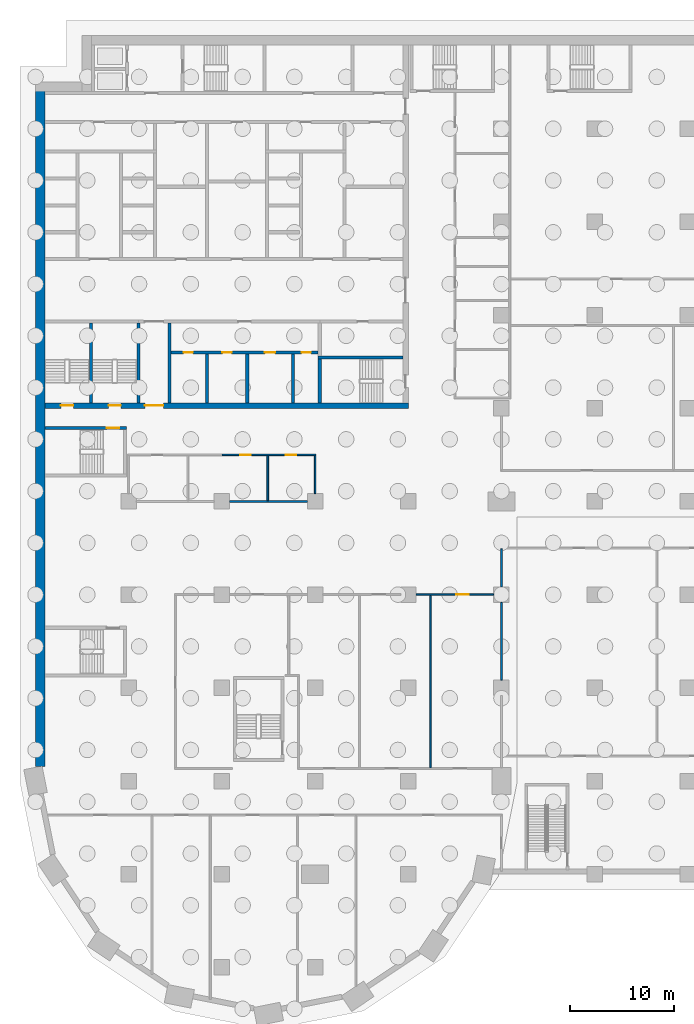
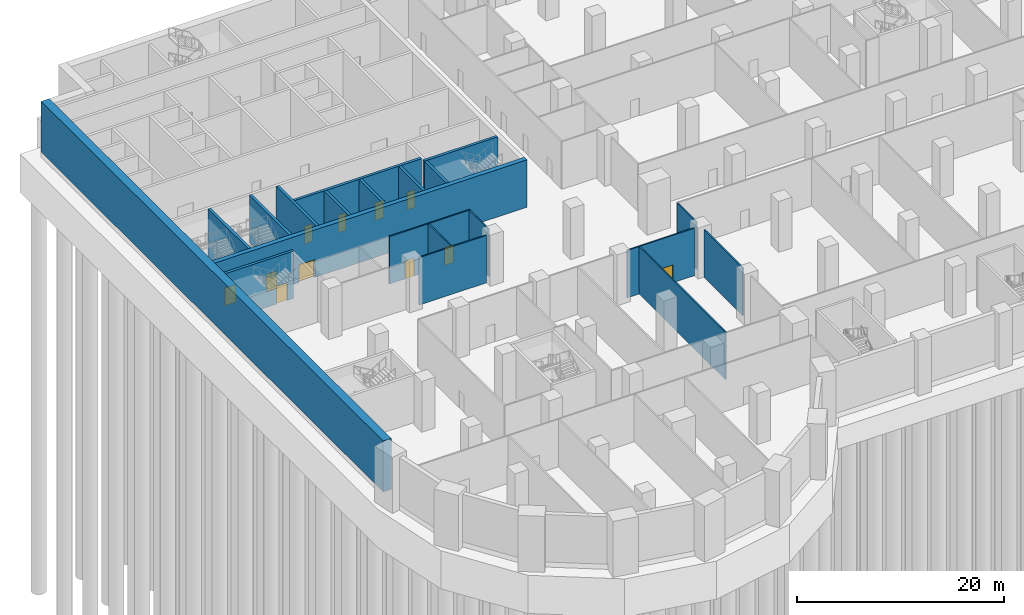
# One storey, part 5 of 25: 20 walls, 11 doors, 11 openings.
"""IFC4 building model written with IfcOpenShell, lengths in metres."""

from ifc_helpers import new_model, si_unit, direction, frame, frame_2d, origin, place, context, subcontext, project, spatial, rectangle, extrude, material, layer, layer_set, type_object, element, fill, save


model = new_model("IFC4")

# Units and contexts
model_context = context("Model", 3, precision=1e-05, world=origin(), true_north=direction((0.0, 1.0)))
body_context = subcontext(model_context, "Body", "Model", "MODEL_VIEW")
ifc_project = project(units=[si_unit("LENGTHUNIT", "METRE"), si_unit("AREAUNIT", "SQUARE_METRE"), si_unit("VOLUMEUNIT", "CUBIC_METRE"), si_unit("PLANEANGLEUNIT", "RADIAN"), si_unit("MASSUNIT", "GRAM", prefix="KILO")], contexts=[model_context])

# Site, building, storey
site_placement = place(None, origin())
site = spatial("IfcSite", under=ifc_project, at=site_placement, CompositionType="ELEMENT")
building_placement = place(site_placement, origin())
building = spatial("IfcBuilding", under=site, at=building_placement, Name="Hunhe Ridgeline Campus", CompositionType="ELEMENT")
storey_placement = place(building_placement, frame((0.0, 0.0, -6.0)))
storey = spatial("IfcBuildingStorey", under=building, at=storey_placement, Name="B1", CompositionType="ELEMENT", Elevation=-6.0)

# Walls
ifc_material_1 = material(Name="Plastered blockwork", Category="masonry")
ifc_layer_1 = layer(ifc_material_1, 0.14990234375)
ifc_layer_set_1 = layer_set([ifc_layer_1], Name="Blockwork partition 150")
wall_type_1 = type_object("IfcWallType", Name="Blockwork partition 150", PredefinedType="PARTITIONING", material=ifc_layer_set_1)
wall_1_placement = place(storey_placement, frame((45.0, 36.75, 0.0), z_axis=(0.0, 0.0, 1.0), x_axis=(0.0, 1.0, 0.0)))
element("IfcWall", 1, at=wall_1_placement, inside=storey, type_object=wall_type_1, Name="B1 partition", PredefinedType="PARTITIONING", context=body_context, shape_type="SweptSolid", body=[
    extrude(rectangle(XDim=7.5, YDim=0.14990234375, at=frame_2d((3.75, 0.0))), origin(), (0.0, 0.0, 1.0), 5.60009765625),
])
wall_2_placement = place(storey_placement, frame((45.0, 45.75, 0.0), z_axis=(0.0, 0.0, 1.0), x_axis=(0.0, 1.0, 0.0)))
element("IfcWall", 2, at=wall_2_placement, inside=storey, type_object=wall_type_1, Name="B1 partition", PredefinedType="PARTITIONING", context=body_context, shape_type="SweptSolid", body=[
    extrude(rectangle(XDim=3.675048828125, YDim=0.14990234375, at=frame_2d((1.83740234375, 0.0))), origin(), (0.0, 0.0, 1.0), 5.60009765625),
])

# Wall, opening, door
wall_3_placement = place(storey_placement, frame((36.75, 45.0, 0.0), z_axis=(0.0, 0.0, 1.0), x_axis=(1.0, 0.0, 0.0)))
wall_3 = element("IfcWall", 3, at=wall_3_placement, inside=storey, type_object=wall_type_1, Name="B1 partition", PredefinedType="PARTITIONING", context=body_context, shape_type="SweptSolid", body=[
    extrude(rectangle(XDim=7.5, YDim=0.14990234375, at=frame_2d((3.75, 0.0))), origin(), (0.0, 0.0, 1.0), 5.60009765625),
])
opening_1_placement = place(wall_3_placement, frame((3.902099609375, 0.0, 0.0)))
opening_1 = element("IfcOpeningElement", 4, at=opening_1_placement, cuts=wall_3, Name="Opening PD023", PredefinedType="OPENING", context=body_context, shape_type="SweptSolid", body=[
    extrude(rectangle(XDim=1.199951171875, YDim=2.10009765625, at=frame_2d((0.60009765625, 1.050048828125))), frame((0.0, 0.074951171875, 0.0), z_axis=(0.0, -1.0, 0.0), x_axis=(1.0, 0.0, 0.0)), (0.0, 0.0, 1.0), 0.14990234375),
])
ifc_material_2 = material(Name="Steel Q235", Category="steel")
door_type_1 = type_object("IfcDoorType", Name="Podium fire door 1200x2100 FD60", OperationType="NOTDEFINED", PredefinedType="DOOR", material=ifc_material_2)
door_1_placement = place(opening_1_placement, origin())
door_1 = element("IfcDoor", 5, at=door_1_placement, inside=storey, type_object=door_type_1, Name="Communications Room door", OperationType="SINGLE_SWING_RIGHT", OverallHeight=2.10009765625, OverallWidth=1.199951171875, PredefinedType="DOOR", context=body_context, shape_type="SweptSolid", body=[
    extrude(rectangle(XDim=1.199951171875, YDim=2.10009765625, at=frame_2d((0.60009765625, 1.050048828125))), frame((0.0, 0.02490234375, 0.0), z_axis=(0.0, -1.0, 0.0), x_axis=(1.0, 0.0, 0.0)), (0.0, 0.0, 1.0), 0.050048828125),
])
fill(opening_1, door_1)

# Walls
wall_4_placement = place(storey_placement, frame((38.152099609375, 28.27490234375, 0.0), z_axis=(0.0, 0.0, 1.0), x_axis=(0.0, 1.0, 0.0)))
element("IfcWall", 6, at=wall_4_placement, inside=storey, type_object=wall_type_1, Name="B1 partition", PredefinedType="PARTITIONING", context=body_context, shape_type="SweptSolid", body=[
    extrude(rectangle(XDim=16.650146484375, YDim=0.14990234375, at=frame_2d((8.3251953125, 0.0))), origin(), (0.0, 0.0, 1.0), 5.60009765625),
])
wall_5_placement = place(storey_placement, frame((26.25, 54.0, 0.0), z_axis=(0.0, 0.0, 1.0), x_axis=(-1.0, 0.0, 0.0)))
element("IfcWall", 7, at=wall_5_placement, inside=storey, type_object=wall_type_1, Name="B1 partition", PredefinedType="PARTITIONING", context=body_context, shape_type="SweptSolid", body=[
    extrude(rectangle(XDim=7.5, YDim=0.14990234375, at=frame_2d((3.75, 0.0))), origin(), (0.0, 0.0, 1.0), 5.60009765625),
])

# Wall, openings, doors
wall_6_placement = place(storey_placement, frame((18.030029296875, 58.5, 0.0), z_axis=(0.0, 0.0, 1.0), x_axis=(1.0, 0.0, 0.0)))
wall_6 = element("IfcWall", 8, at=wall_6_placement, inside=storey, type_object=wall_type_1, Name="B1 partition", PredefinedType="PARTITIONING", context=body_context, shape_type="SweptSolid", body=[
    extrude(rectangle(XDim=9.044921875, YDim=0.14990234375, at=frame_2d((4.5224609375, 0.0))), origin(), (0.0, 0.0, 1.0), 5.60009765625),
])
opening_2_placement = place(wall_6_placement, frame((1.75, 0.0, 0.0)))
opening_2 = element("IfcOpeningElement", 9, at=opening_2_placement, cuts=wall_6, Name="Opening PD026", PredefinedType="OPENING", context=body_context, shape_type="SweptSolid", body=[
    extrude(rectangle(XDim=1.0, YDim=2.10009765625, at=frame_2d((0.5, 1.050048828125))), frame((0.0, 0.074951171875, 0.0), z_axis=(0.0, -1.0, 0.0), x_axis=(1.0, 0.0, 0.0)), (0.0, 0.0, 1.0), 0.14990234375),
])
opening_3_placement = place(wall_6_placement, frame((6.14892578125, 0.0, 0.0)))
opening_3 = element("IfcOpeningElement", 10, at=opening_3_placement, cuts=wall_6, Name="Opening PD027", PredefinedType="OPENING", context=body_context, shape_type="SweptSolid", body=[
    extrude(rectangle(XDim=1.0, YDim=2.10009765625, at=frame_2d((0.5, 1.050048828125))), frame((0.0, 0.074951171875, 0.0), z_axis=(0.0, -1.0, 0.0), x_axis=(1.0, 0.0, 0.0)), (0.0, 0.0, 1.0), 0.14990234375),
])
ifc_material_3 = material(Name="Timber", Category="wood")
door_type_2 = type_object("IfcDoorType", Name="Podium timber door 1000x2100", OperationType="NOTDEFINED", PredefinedType="DOOR", material=ifc_material_3)
door_2_placement = place(opening_2_placement, origin())
door_2 = element("IfcDoor", 11, at=door_2_placement, inside=storey, type_object=door_type_2, Name="Staff Rest Room door", OperationType="SINGLE_SWING_LEFT", OverallHeight=2.10009765625, OverallWidth=1.0, PredefinedType="DOOR", context=body_context, shape_type="SweptSolid", body=[
    extrude(rectangle(XDim=1.0, YDim=2.10009765625, at=frame_2d((0.5, 1.050048828125))), frame((0.0, 0.02490234375, 0.0), z_axis=(0.0, -1.0, 0.0), x_axis=(1.0, 0.0, 0.0)), (0.0, 0.0, 1.0), 0.050048828125),
])
fill(opening_2, door_2)
door_3_placement = place(opening_3_placement, origin())
door_3 = element("IfcDoor", 12, at=door_3_placement, inside=storey, type_object=door_type_2, Name="Lost Property Store door", OperationType="SINGLE_SWING_RIGHT", OverallHeight=2.10009765625, OverallWidth=1.0, PredefinedType="DOOR", context=body_context, shape_type="SweptSolid", body=[
    extrude(rectangle(XDim=1.0, YDim=2.10009765625, at=frame_2d((0.5, 1.050048828125))), frame((0.0, 0.02490234375, 0.0), z_axis=(0.0, -1.0, 0.0), x_axis=(1.0, 0.0, 0.0)), (0.0, 0.0, 1.0), 0.050048828125),
])
fill(opening_3, door_3)

# Walls
wall_7_placement = place(storey_placement, frame((22.428955078125, 54.074951171875, 0.0), z_axis=(0.0, 0.0, 1.0), x_axis=(0.0, 1.0, 0.0)))
element("IfcWall", 13, at=wall_7_placement, inside=storey, type_object=wall_type_1, Name="B1 partition", PredefinedType="PARTITIONING", context=body_context, shape_type="SweptSolid", body=[
    extrude(rectangle(XDim=4.35009765625, YDim=0.14990234375, at=frame_2d((2.175048828125, 0.0))), origin(), (0.0, 0.0, 1.0), 5.60009765625),
])
wall_8_placement = place(storey_placement, frame((27.0, 58.425048828125, 0.0), z_axis=(0.0, 0.0, 1.0), x_axis=(0.0, -1.0, 0.0)))
element("IfcWall", 14, at=wall_8_placement, inside=storey, type_object=wall_type_1, Name="B1 partition", PredefinedType="PARTITIONING", context=body_context, shape_type="SweptSolid", body=[
    extrude(rectangle(XDim=3.675048828125, YDim=0.14990234375, at=frame_2d((1.83740234375, 0.0))), origin(), (0.0, 0.0, 1.0), 5.60009765625),
])

# Wall, openings, doors
ifc_material_4 = material(Name="Masonry concrete blockwork", Category="masonry")
ifc_layer_2 = layer(ifc_material_4, 0.300048828125)
ifc_layer_set_2 = layer_set([ifc_layer_2], Name="Core room partition 300 concrete block")
wall_type_2 = type_object("IfcWallType", Name="Core room partition 300 concrete block", PredefinedType="PARTITIONING", material=ifc_layer_set_2)
wall_9_placement = place(storey_placement, frame((13.10009765625, 68.39990234375, 0.0), z_axis=(0.0, 0.0, 1.0), x_axis=(1.0, 0.0, 0.0)))
wall_9 = element("IfcWall", 15, at=wall_9_placement, inside=storey, type_object=wall_type_2, Name="B1 core partition 10", PredefinedType="PARTITIONING", context=body_context, shape_type="SweptSolid", body=[
    extrude(rectangle(XDim=14.199951171875, YDim=0.300048828125, at=frame_2d((7.10009765625, 0.0))), origin(), (0.0, 0.0, 1.0), 5.60009765625),
])
opening_4_placement = place(wall_9_placement, frame((1.199951171875, 0.0, 0.0)))
opening_4 = element("IfcOpeningElement", 16, at=opening_4_placement, cuts=wall_9, Name="Opening CD8", PredefinedType="OPENING", context=body_context, shape_type="SweptSolid", body=[
    extrude(rectangle(XDim=0.89990234375, YDim=2.10009765625, at=frame_2d((0.449951171875, 1.050048828125))), frame((0.0, 0.14990234375, 0.0), z_axis=(0.0, -1.0, 0.0), x_axis=(1.0, 0.0, 0.0)), (0.0, 0.0, 1.0), 0.300048828125),
])
opening_5_placement = place(wall_9_placement, frame((4.949951171875, 0.0, 0.0)))
opening_5 = element("IfcOpeningElement", 17, at=opening_5_placement, cuts=wall_9, Name="Opening CD9", PredefinedType="OPENING", context=body_context, shape_type="SweptSolid", body=[
    extrude(rectangle(XDim=0.89990234375, YDim=2.10009765625, at=frame_2d((0.449951171875, 1.050048828125))), frame((0.0, 0.14990234375, 0.0), z_axis=(0.0, -1.0, 0.0), x_axis=(1.0, 0.0, 0.0)), (0.0, 0.0, 1.0), 0.300048828125),
])
opening_6_placement = place(wall_9_placement, frame((9.050048828125, 0.0, 0.0)))
opening_6 = element("IfcOpeningElement", 18, at=opening_6_placement, cuts=wall_9, Name="Opening CD10", PredefinedType="OPENING", context=body_context, shape_type="SweptSolid", body=[
    extrude(rectangle(XDim=1.0, YDim=2.10009765625, at=frame_2d((0.5, 1.050048828125))), frame((0.0, 0.14990234375, 0.0), z_axis=(0.0, -1.0, 0.0), x_axis=(1.0, 0.0, 0.0)), (0.0, 0.0, 1.0), 0.300048828125),
])
opening_7_placement = place(wall_9_placement, frame((12.60009765625, 0.0, 0.0)))
opening_7 = element("IfcOpeningElement", 19, at=opening_7_placement, cuts=wall_9, Name="Opening CD11", PredefinedType="OPENING", context=body_context, shape_type="SweptSolid", body=[
    extrude(rectangle(XDim=0.89990234375, YDim=2.10009765625, at=frame_2d((0.449951171875, 1.050048828125))), frame((0.0, 0.14990234375, 0.0), z_axis=(0.0, -1.0, 0.0), x_axis=(1.0, 0.0, 0.0)), (0.0, 0.0, 1.0), 0.300048828125),
])
ifc_material_5 = material(Name="Solid core timber door leaf", Category="wood")
door_type_3 = type_object("IfcDoorType", Name="Timber door 1000x2100", OperationType="SINGLE_SWING_LEFT", PredefinedType="DOOR", material=ifc_material_5)
door_4_placement = place(opening_6_placement, frame((1.0, 0.0, 0.0), z_axis=(0.0, 0.0, 1.0), x_axis=(-1.0, 0.0, 0.0)))
door_4 = element("IfcDoor", 20, at=door_4_placement, inside=storey, type_object=door_type_3, Name="B1 door WC3", OperationType="SINGLE_SWING_RIGHT", OverallHeight=2.10009765625, OverallWidth=1.0, PredefinedType="DOOR", context=body_context, shape_type="SweptSolid", body=[
    extrude(rectangle(XDim=1.0, YDim=2.10009765625, at=frame_2d((0.5, 1.050048828125))), frame((0.0, 0.02490234375, 0.0), z_axis=(0.0, -1.0, 0.0), x_axis=(1.0, 0.0, 0.0)), (0.0, 0.0, 1.0), 0.050048828125),
])
fill(opening_6, door_4)
door_type_4 = type_object("IfcDoorType", Name="Timber door 900x2100", OperationType="SINGLE_SWING_LEFT", PredefinedType="DOOR", material=ifc_material_5)
door_5_placement = place(opening_4_placement, frame((0.89990234375, 0.0, 0.0), z_axis=(0.0, 0.0, 1.0), x_axis=(-1.0, 0.0, 0.0)))
door_5 = element("IfcDoor", 21, at=door_5_placement, inside=storey, type_object=door_type_4, Name="B1 door WC1", OperationType="SINGLE_SWING_RIGHT", OverallHeight=2.10009765625, OverallWidth=0.89990234375, PredefinedType="DOOR", context=body_context, shape_type="SweptSolid", body=[
    extrude(rectangle(XDim=0.89990234375, YDim=2.10009765625, at=frame_2d((0.449951171875, 1.050048828125))), frame((0.0, 0.02490234375, 0.0), z_axis=(0.0, -1.0, 0.0), x_axis=(1.0, 0.0, 0.0)), (0.0, 0.0, 1.0), 0.050048828125),
])
fill(opening_4, door_5)
door_6_placement = place(opening_5_placement, frame((0.89990234375, 0.0, 0.0), z_axis=(0.0, 0.0, 1.0), x_axis=(-1.0, 0.0, 0.0)))
door_6 = element("IfcDoor", 22, at=door_6_placement, inside=storey, type_object=door_type_4, Name="B1 door WC2", OperationType="SINGLE_SWING_LEFT", OverallHeight=2.10009765625, OverallWidth=0.89990234375, PredefinedType="DOOR", context=body_context, shape_type="SweptSolid", body=[
    extrude(rectangle(XDim=0.89990234375, YDim=2.10009765625, at=frame_2d((0.449951171875, 1.050048828125))), frame((0.0, 0.02490234375, 0.0), z_axis=(0.0, -1.0, 0.0), x_axis=(1.0, 0.0, 0.0)), (0.0, 0.0, 1.0), 0.050048828125),
])
fill(opening_5, door_6)
door_7_placement = place(opening_7_placement, frame((0.89990234375, 0.0, 0.0), z_axis=(0.0, 0.0, 1.0), x_axis=(-1.0, 0.0, 0.0)))
door_7 = element("IfcDoor", 23, at=door_7_placement, inside=storey, type_object=door_type_4, Name="B1 door WC4", OperationType="SINGLE_SWING_LEFT", OverallHeight=2.10009765625, OverallWidth=0.89990234375, PredefinedType="DOOR", context=body_context, shape_type="SweptSolid", body=[
    extrude(rectangle(XDim=0.89990234375, YDim=2.10009765625, at=frame_2d((0.449951171875, 1.050048828125))), frame((0.0, 0.02490234375, 0.0), z_axis=(0.0, -1.0, 0.0), x_axis=(1.0, 0.0, 0.0)), (0.0, 0.0, 1.0), 0.050048828125),
])
fill(opening_7, door_7)

# Walls
wall_10_placement = place(storey_placement, frame((12.949951171875, 63.5, 0.0), z_axis=(0.0, 0.0, 1.0), x_axis=(0.0, 1.0, 0.0)))
element("IfcWall", 24, at=wall_10_placement, inside=storey, type_object=wall_type_2, Name="B1 core partition 47", PredefinedType="PARTITIONING", context=body_context, shape_type="SweptSolid", body=[
    extrude(rectangle(XDim=7.75, YDim=0.300048828125, at=frame_2d((3.875, 0.0))), origin(), (0.0, 0.0, 1.0), 5.60009765625),
])
for number, where, z_axis, x_axis, name in (
    (25, (16.550048828125, 63.5, 0.0), (0.0, 0.0, 1.0), (0.0, 1.0, 0.0), "B1 core partition 49"),
    (26, (20.449951171875, 63.5, 0.0), (0.0, 0.0, 1.0), (0.0, 1.0, 0.0), "B1 core partition 52"),
    (27, (24.85009765625, 63.5, 0.0), (0.0, 0.0, 1.0), (0.0, 1.0, 0.0), "B1 core partition 57"),
):
    element("IfcWall", number, at=place(storey_placement, frame(where, z_axis=z_axis, x_axis=x_axis)), inside=storey, type_object=wall_type_2, Name=name, PredefinedType="PARTITIONING", context=body_context, shape_type="SweptSolid", body=[
        extrude(rectangle(XDim=4.75, YDim=0.300048828125, at=frame_2d((2.375, 0.0))), origin(), (0.0, 0.0, 1.0), 5.60009765625),
    ])

# Wall, openings, doors
ifc_material_6 = material(Name="Concrete C80", Category="concrete")
ifc_layer_3 = layer(ifc_material_6, 0.5)
ifc_layer_set_3 = layer_set([ifc_layer_3], Name="Core wall 500 reinforced concrete C80")
wall_type_3 = type_object("IfcWallType", Name="Core wall 500 reinforced concrete C80", PredefinedType="SOLIDWALL", material=ifc_layer_set_3)
wall_11_placement = place(storey_placement, frame((0.89990234375, 63.25, 0.0), z_axis=(0.0, 0.0, 1.0), x_axis=(1.0, 0.0, 0.0)))
wall_11 = element("IfcWall", 28, at=wall_11_placement, inside=storey, type_object=wall_type_3, Name="B1 core wall 7", PredefinedType="SOLIDWALL", context=body_context, shape_type="SweptSolid", body=[
    extrude(rectangle(XDim=35.10009765625, YDim=0.5, at=frame_2d((17.550048828125, 0.0))), origin(), (0.0, 0.0, 1.0), 5.60009765625),
])
opening_8_placement = place(wall_11_placement, frame((9.64990234375, 0.0, 0.0)))
opening_8 = element("IfcOpeningElement", 29, at=opening_8_placement, cuts=wall_11, Name="Opening CD6", PredefinedType="OPENING", context=body_context, shape_type="SweptSolid", body=[
    extrude(rectangle(XDim=1.800048828125, YDim=2.10009765625, at=frame_2d((0.89990234375, 1.050048828125))), frame((0.0, 0.25, 0.0), z_axis=(0.0, -1.0, 0.0), x_axis=(1.0, 0.0, 0.0)), (0.0, 0.0, 1.0), 0.5),
])
opening_9_placement = place(wall_11_placement, frame((1.550048828125, 0.0, 0.0)))
opening_9 = element("IfcOpeningElement", 30, at=opening_9_placement, cuts=wall_11, Name="Opening CD13", PredefinedType="OPENING", context=body_context, shape_type="SweptSolid", body=[
    extrude(rectangle(XDim=1.199951171875, YDim=2.10009765625, at=frame_2d((0.60009765625, 1.050048828125))), frame((0.0, 0.25, 0.0), z_axis=(0.0, -1.0, 0.0), x_axis=(1.0, 0.0, 0.0)), (0.0, 0.0, 1.0), 0.5),
])
opening_10_placement = place(wall_11_placement, frame((6.14990234375, 0.0, 0.0)))
opening_10 = element("IfcOpeningElement", 31, at=opening_10_placement, cuts=wall_11, Name="Opening CD14", PredefinedType="OPENING", context=body_context, shape_type="SweptSolid", body=[
    extrude(rectangle(XDim=1.199951171875, YDim=2.10009765625, at=frame_2d((0.60009765625, 1.050048828125))), frame((0.0, 0.25, 0.0), z_axis=(0.0, -1.0, 0.0), x_axis=(1.0, 0.0, 0.0)), (0.0, 0.0, 1.0), 0.5),
])
ifc_material_7 = material(Name="Anodised aluminium and glass", Category="aluminium")
door_type_5 = type_object("IfcDoorType", Name="Glazed double door 1800x2100", OperationType="DOUBLE_DOOR_SINGLE_SWING", PredefinedType="DOOR", material=ifc_material_7)
door_8_placement = place(opening_8_placement, frame((1.800048828125, 0.0, 0.0), z_axis=(0.0, 0.0, 1.0), x_axis=(-1.0, 0.0, 0.0)))
door_8 = element("IfcDoor", 32, at=door_8_placement, inside=storey, type_object=door_type_5, Name="B1 door VEST-FLOOR", OperationType="DOUBLE_DOOR_SINGLE_SWING", OverallHeight=2.10009765625, OverallWidth=1.800048828125, PredefinedType="DOOR", context=body_context, shape_type="SweptSolid", body=[
    extrude(rectangle(XDim=1.800048828125, YDim=2.10009765625, at=frame_2d((0.89990234375, 1.050048828125))), frame((0.0, 0.02490234375, 0.0), z_axis=(0.0, -1.0, 0.0), x_axis=(1.0, 0.0, 0.0)), (0.0, 0.0, 1.0), 0.050048828125),
])
fill(opening_8, door_8)
ifc_material_8 = material(Name="Hollow metal fire door leaf")
door_type_6 = type_object("IfcDoorType", Name="Stair door 1200x2100 FD60", OperationType="SINGLE_SWING_LEFT", PredefinedType="DOOR", material=ifc_material_8)
door_9_placement = place(opening_9_placement, frame((1.199951171875, 0.0, 0.0), z_axis=(0.0, 0.0, 1.0), x_axis=(-1.0, 0.0, 0.0)))
door_9 = element("IfcDoor", 33, at=door_9_placement, inside=storey, type_object=door_type_6, Name="B1 door S3", OperationType="SINGLE_SWING_RIGHT", OverallHeight=2.10009765625, OverallWidth=1.199951171875, PredefinedType="DOOR", context=body_context, shape_type="SweptSolid", body=[
    extrude(rectangle(XDim=1.199951171875, YDim=2.10009765625, at=frame_2d((0.60009765625, 1.050048828125))), frame((0.0, 0.02490234375, 0.0), z_axis=(0.0, -1.0, 0.0), x_axis=(1.0, 0.0, 0.0)), (0.0, 0.0, 1.0), 0.050048828125),
])
fill(opening_9, door_9)
door_10_placement = place(opening_10_placement, frame((1.199951171875, 0.0, 0.0), z_axis=(0.0, 0.0, 1.0), x_axis=(-1.0, 0.0, 0.0)))
door_10 = element("IfcDoor", 34, at=door_10_placement, inside=storey, type_object=door_type_6, Name="B1 door S4", OperationType="SINGLE_SWING_LEFT", OverallHeight=2.10009765625, OverallWidth=1.199951171875, PredefinedType="DOOR", context=body_context, shape_type="SweptSolid", body=[
    extrude(rectangle(XDim=1.199951171875, YDim=2.10009765625, at=frame_2d((0.60009765625, 1.050048828125))), frame((0.0, 0.02490234375, 0.0), z_axis=(0.0, -1.0, 0.0), x_axis=(1.0, 0.0, 0.0)), (0.0, 0.0, 1.0), 0.050048828125),
])
fill(opening_10, door_10)

# Wall
ifc_layer_4 = layer(ifc_material_6, 0.89990234375)
ifc_layer_set_4 = layer_set([ifc_layer_4], Name="Spine wall 900 Concrete C80")
wall_type_4 = type_object("IfcWallType", Name="Spine wall 900 Concrete C80", PredefinedType="SHEAR", material=ifc_layer_set_4)
wall_12_placement = place(storey_placement, frame((0.449951171875, 94.5, 0.0), z_axis=(0.0, 0.0, 1.0), x_axis=(0.0, -1.0, 0.0)))
element("IfcWall", 35, at=wall_12_placement, inside=storey, type_object=wall_type_4, Name="Spine wall SW1-1 B1", PredefinedType="SHEAR", context=body_context, shape_type="SweptSolid", body=[
    extrude(rectangle(XDim=66.0849609375, YDim=0.89990234375, at=frame_2d((33.04248046875, 0.0))), origin(), (0.0, 0.0, 1.0), 6.0),
])

# Wall, opening, door
ifc_layer_5 = layer(ifc_material_6, 0.300048828125)
ifc_layer_set_5 = layer_set([ifc_layer_5], Name="Stair wall 300 reinforced concrete C80")
wall_type_5 = type_object("IfcWallType", Name="Stair wall 300 reinforced concrete C80", PredefinedType="SOLIDWALL", material=ifc_layer_set_5)
wall_13_placement = place(storey_placement, frame((0.89990234375, 61.10009765625, 0.0), z_axis=(0.0, 0.0, 1.0), x_axis=(1.0, 0.0, 0.0)))
wall_13 = element("IfcWall", 36, at=wall_13_placement, inside=storey, type_object=wall_type_5, Name="B1 core wall 6", PredefinedType="SOLIDWALL", context=body_context, shape_type="SweptSolid", body=[
    extrude(rectangle(XDim=7.900146484375, YDim=0.300048828125, at=frame_2d((3.9501953125, 0.0))), origin(), (0.0, 0.0, 1.0), 5.60009765625),
])
opening_11_placement = place(wall_13_placement, frame((6.0, 0.0, 0.0)))
opening_11 = element("IfcOpeningElement", 37, at=opening_11_placement, cuts=wall_13, Name="Opening CD22", PredefinedType="OPENING", context=body_context, shape_type="SweptSolid", body=[
    extrude(rectangle(XDim=1.199951171875, YDim=2.10009765625, at=frame_2d((0.60009765625, 1.050048828125))), frame((0.0, 0.14990234375, 0.0), z_axis=(0.0, -1.0, 0.0), x_axis=(1.0, 0.0, 0.0)), (0.0, 0.0, 1.0), 0.300048828125),
])
door_11_placement = place(opening_11_placement, origin())
door_11 = element("IfcDoor", 38, at=door_11_placement, inside=storey, type_object=door_type_6, Name="B1 door W2", OperationType="SINGLE_SWING_RIGHT", OverallHeight=2.10009765625, OverallWidth=1.199951171875, PredefinedType="DOOR", context=body_context, shape_type="SweptSolid", body=[
    extrude(rectangle(XDim=1.199951171875, YDim=2.10009765625, at=frame_2d((0.60009765625, 1.050048828125))), frame((0.0, 0.02490234375, 0.0), z_axis=(0.0, -1.0, 0.0), x_axis=(1.0, 0.0, 0.0)), (0.0, 0.0, 1.0), 0.050048828125),
])
fill(opening_11, door_11)

# Walls
wall_14_placement = place(storey_placement, frame((27.300048828125, 67.89990234375, 0.0), z_axis=(0.0, 0.0, 1.0), x_axis=(1.0, 0.0, 0.0)))
element("IfcWall", 39, at=wall_14_placement, inside=storey, type_object=wall_type_5, Name="B1 core wall 9", PredefinedType="SOLIDWALL", context=body_context, shape_type="SweptSolid", body=[
    extrude(rectangle(XDim=8.199951171875, YDim=0.300048828125, at=frame_2d((4.10009765625, 0.0))), origin(), (0.0, 0.0, 1.0), 5.60009765625),
])
for number, where, z_axis, x_axis, name in (
    (40, (5.35009765625, 63.5, 0.0), (0.0, 0.0, 1.0), (0.0, 1.0, 0.0), "B1 core wall 38"),
    (41, (9.949951171875, 63.5, 0.0), (0.0, 0.0, 1.0), (0.0, 1.0, 0.0), "B1 core wall 44"),
):
    element("IfcWall", number, at=place(storey_placement, frame(where, z_axis=z_axis, x_axis=x_axis)), inside=storey, type_object=wall_type_5, Name=name, PredefinedType="SOLIDWALL", context=body_context, shape_type="SweptSolid", body=[
        extrude(rectangle(XDim=7.75, YDim=0.300048828125, at=frame_2d((3.875, 0.0))), origin(), (0.0, 0.0, 1.0), 5.60009765625),
    ])
wall_15_placement = place(storey_placement, frame((27.449951171875, 63.5, 0.0), z_axis=(0.0, 0.0, 1.0), x_axis=(0.0, 1.0, 0.0)))
element("IfcWall", 42, at=wall_15_placement, inside=storey, type_object=wall_type_5, Name="B1 core wall 59", PredefinedType="SOLIDWALL", context=body_context, shape_type="SweptSolid", body=[
    extrude(rectangle(XDim=4.25, YDim=0.300048828125, at=frame_2d((2.125, 0.0))), origin(), (0.0, 0.0, 1.0), 5.60009765625),
])

save(model, "model.ifc")
